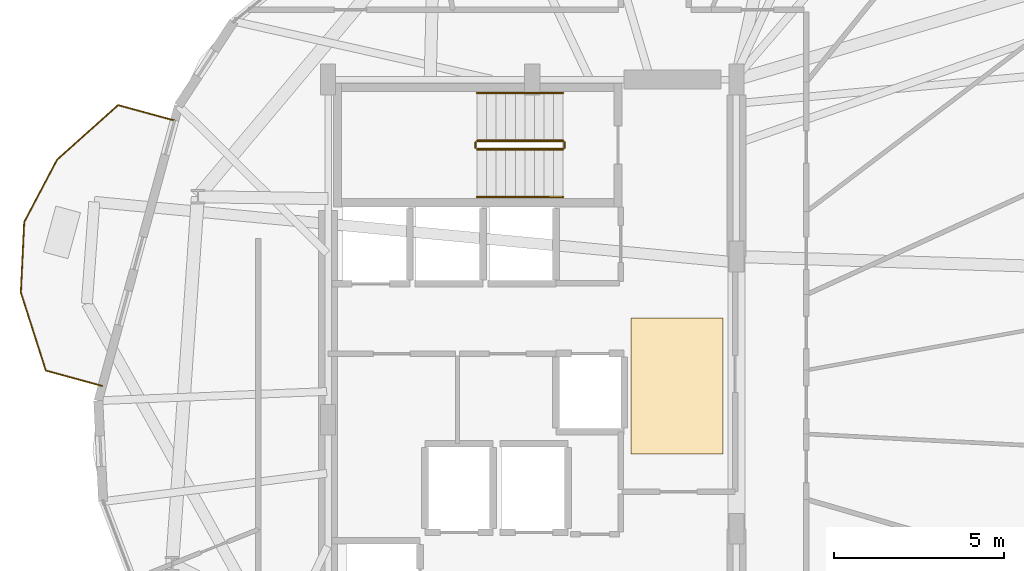
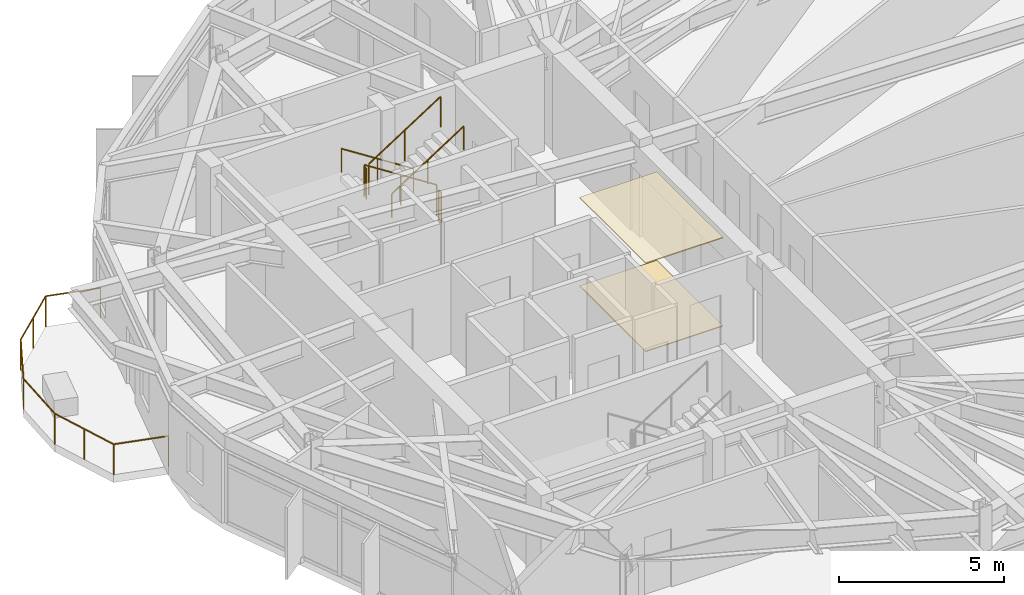
# One storey, part 22 of 23: 7 railings, 2 coverings.
"""IFC4 building model written with IfcOpenShell, lengths in metres."""

from ifc_helpers import new_model, si_unit, direction, frame, origin, origin_2d, place, context, subcontext, project, spatial, polyline, circle, outline, extrude, material, layer, layer_set, type_object, element, save


model = new_model("IFC4")

# Units and contexts
model_context = context("Model", 3, precision=1e-05, world=origin(), true_north=direction((0.0, 1.0)))
body_context = subcontext(model_context, "Body", "Model", "MODEL_VIEW")
ifc_project = project(units=[si_unit("LENGTHUNIT", "METRE"), si_unit("AREAUNIT", "SQUARE_METRE"), si_unit("VOLUMEUNIT", "CUBIC_METRE"), si_unit("PLANEANGLEUNIT", "RADIAN"), si_unit("MASSUNIT", "GRAM", prefix="KILO")], contexts=[model_context])

# Site, building, storey
site_placement = place(None, origin())
site = spatial("IfcSite", under=ifc_project, at=site_placement, CompositionType="ELEMENT")
building_placement = place(site_placement, origin())
building = spatial("IfcBuilding", under=site, at=building_placement, Name="Soratama Intermodal Tower", CompositionType="ELEMENT")
storey_placement = place(building_placement, frame((0.0, 0.0, 175.0)))
storey = spatial("IfcBuildingStorey", under=building, at=storey_placement, Name="L43", CompositionType="ELEMENT", Elevation=175.0)

# Coverings
ifc_material_1 = material(Name="Perforated mineral acoustic ceiling", Category="concrete")
ifc_layer_1 = layer(ifc_material_1, 0.0400390625)
ifc_layer_set_1 = layer_set([ifc_layer_1], Name="Perforated mineral acoustic ceiling")
covering_type_1 = type_object("IfcCoveringType", Name="CV-CEIL-ACOUSTIC", PredefinedType="CEILING", material=ifc_layer_set_1)
covering_1_placement = place(storey_placement, frame((0.0, 0.0, 3.260009765625)))
element("IfcCovering", 1, at=covering_1_placement, inside=storey, type_object=covering_type_1, Name="L43 Acoustic Ceiling", PredefinedType="CEILING", context=body_context, shape_type="SweptSolid", body=[
    extrude(outline(polyline([(41.5, 24.0), (44.199951171875, 24.0), (44.199951171875, 28.0), (41.5, 28.0), (41.5, 24.0)])), origin(), (0.0, 0.0, 1.0), 0.0400390625),
])
ifc_material_2 = material(Name="Polished Andean stone terrazzo flooring", Category="masonry")
ifc_layer_2 = layer(ifc_material_2, 0.030029296875)
ifc_layer_set_2 = layer_set([ifc_layer_2], Name="Polished Andean stone terrazzo flooring")
covering_type_2 = type_object("IfcCoveringType", Name="CV-FLOR-TERRAZZO", PredefinedType="FLOORING", material=ifc_layer_set_2)
covering_2_placement = place(storey_placement, origin())
element("IfcCovering", 2, at=covering_2_placement, inside=storey, type_object=covering_type_2, Name="L43 Lobby Terrazzo Flooring", PredefinedType="FLOORING", context=body_context, shape_type="SweptSolid", body=[
    extrude(outline(polyline([(41.5, 24.0), (44.199951171875, 24.0), (44.199951171875, 28.0), (41.5, 28.0), (41.5, 24.0)])), origin(), (0.0, 0.0, 1.0), 0.030029296875),
])

# Railings
ifc_material_3 = material(Name="Laminated glass and stainless steel balustrade", Category="steel")
railing_type_1 = type_object("IfcRailingType", Name="RL-BAL-1150", PredefinedType="BALUSTRADE", material=ifc_material_3)
railing_1_placement = place(storey_placement, frame((25.964599609375, 25.995849609375, 0.0)))
element("IfcRailing", 3, at=railing_1_placement, inside=storey, type_object=railing_type_1, Name="L43 Balcony Balustrade 2", PredefinedType="BALUSTRADE", context=body_context, shape_type="SweptSolid", body=[
    extrude(circle(Radius=0.02392578125, at=origin_2d()), frame((0.0, 0.0, 1.1259765625), z_axis=(-0.964826033339, 0.262889188428, 0.0), x_axis=(-0.262889188428, -0.964826033339, 0.0)), (0.0, 0.0, 1.0), 1.719970703125),
    extrude(circle(Radius=0.02392578125, at=origin_2d()), frame((-1.659423828125, 0.4521484375, 1.1259765625), z_axis=(-0.304408018517, 0.952541735706, 0.0), x_axis=(-0.952541735706, -0.304408018517, 0.0)), (0.0, 0.0, 1.0), 2.4091796875),
    extrude(circle(Radius=0.02392578125, at=origin_2d()), frame((-2.392822265625, 2.7470703125, 1.1259765625), z_axis=(0.047397096634, 0.998876126069, 0.0), x_axis=(-0.998876126069, 0.047397096634, 0.0)), (0.0, 0.0, 1.0), 2.07080078125),
    extrude(circle(Radius=0.02392578125, at=origin_2d()), frame((-2.294677734375, 4.8154296875, 1.1259765625), z_axis=(0.465838758603, 0.88486962372, 0.0), x_axis=(-0.88486962372, 0.465838758603, 0.0)), (0.0, 0.0, 1.0), 2.070556640625),
    extrude(circle(Radius=0.02392578125, at=origin_2d()), frame((-1.330078125, 6.647705078125, 1.1259765625), z_axis=(0.745522179402, 0.666480817443, 0.0), x_axis=(-0.666480817443, 0.745522179402, 0.0)), (0.0, 0.0, 1.0), 2.4091796875),
    extrude(circle(Radius=0.02392578125, at=origin_2d()), frame((0.466064453125, 8.25341796875, 1.1259765625), z_axis=(0.964826033339, -0.262889188428, 0.0), x_axis=(0.262889188428, 0.964826033339, 0.0)), (0.0, 0.0, 1.0), 1.719970703125),
    extrude(circle(Radius=0.02099609375, at=origin_2d()), origin(), (0.0, 0.0, 1.0), 1.101806640625),
    extrude(circle(Radius=0.02099609375, at=origin_2d()), frame((-1.659423828125, 0.4521484375, 0.0)), (0.0, 0.0, 1.0), 1.101806640625),
    extrude(circle(Radius=0.02099609375, at=origin_2d()), frame((-2.026123046875, 1.599609375, 0.0)), (0.0, 0.0, 1.0), 1.101806640625),
    extrude(circle(Radius=0.02099609375, at=origin_2d()), frame((-2.392822265625, 2.7470703125, 0.0)), (0.0, 0.0, 1.0), 1.101806640625),
    extrude(circle(Radius=0.02099609375, at=origin_2d()), frame((-2.294677734375, 4.8154296875, 0.0)), (0.0, 0.0, 1.0), 1.101806640625),
    extrude(circle(Radius=0.02099609375, at=origin_2d()), frame((-1.330078125, 6.647705078125, 0.0)), (0.0, 0.0, 1.0), 1.101806640625),
    extrude(circle(Radius=0.02099609375, at=origin_2d()), frame((-0.43212890625, 7.45068359375, 0.0)), (0.0, 0.0, 1.0), 1.101806640625),
    extrude(circle(Radius=0.02099609375, at=origin_2d()), frame((0.466064453125, 8.25341796875, 0.0)), (0.0, 0.0, 1.0), 1.101806640625),
    extrude(circle(Radius=0.02099609375, at=origin_2d()), frame((2.12548828125, 7.80126953125, 0.0)), (0.0, 0.0, 1.0), 1.101806640625),
])
ifc_material_4 = material(Name="Painted steel stair guardrail", Category="steel")
railing_type_2 = type_object("IfcRailingType", Name="RL-STAIR-GUARD", PredefinedType="GUARDRAIL", material=ifc_material_4)
railing_2_placement = place(storey_placement, frame((39.5, 33.199951171875, 0.179931640625)))
element("IfcRailing", 4, at=railing_2_placement, inside=storey, type_object=railing_type_2, Name="L43 ST-2 stair guard 1", PredefinedType="GUARDRAIL", context=body_context, shape_type="SweptSolid", body=[
    extrude(circle(Radius=0.02392578125, at=origin_2d()), frame((0.0, 0.0, 1.1259765625), z_axis=(-0.841162588446, 0.0, 0.540782303519), x_axis=(0.0, -1.0, 0.0)), (0.0, 0.0, 1.0), 2.995849609375),
    extrude(circle(Radius=0.02099609375, at=origin_2d()), origin(), (0.0, 0.0, 1.0), 1.101806640625),
    extrude(circle(Radius=0.02099609375, at=origin_2d()), frame((-1.260009765625, 0.0, 0.81005859375)), (0.0, 0.0, 1.0), 1.101806640625),
    extrude(circle(Radius=0.02099609375, at=origin_2d()), frame((-2.52001953125, 0.0, 1.6201171875)), (0.0, 0.0, 1.0), 1.101806640625),
])
railing_3_placement = place(storey_placement, frame((36.929931640625, 33.14990234375, 1.800048828125)))
element("IfcRailing", 5, at=railing_3_placement, inside=storey, type_object=railing_type_2, Name="L43 ST-2 stair guard 2", PredefinedType="GUARDRAIL", context=body_context, shape_type="SweptSolid", body=[
    extrude(circle(Radius=0.02392578125, at=origin_2d()), frame((0.0, 0.0, 1.1259765625), z_axis=(0.0, -1.0, 0.0), x_axis=(1.0, 0.0, 0.0)), (0.0, 0.0, 1.0), 0.14990234375),
    extrude(circle(Radius=0.02099609375, at=origin_2d()), origin(), (0.0, 0.0, 1.0), 1.101806640625),
    extrude(circle(Radius=0.02099609375, at=origin_2d()), frame((0.0, -0.14990234375, 0.0)), (0.0, 0.0, 1.0), 1.101806640625),
])
railing_4_placement = place(storey_placement, frame((36.97998046875, 32.949951171875, 1.97998046875)))
element("IfcRailing", 6, at=railing_4_placement, inside=storey, type_object=railing_type_2, Name="L43 ST-2 stair guard 3", PredefinedType="GUARDRAIL", context=body_context, shape_type="SweptSolid", body=[
    extrude(circle(Radius=0.02392578125, at=origin_2d()), frame((0.0, 0.0, 1.1259765625), z_axis=(0.841162588446, 0.0, 0.540782303519), x_axis=(0.0, 1.0, 0.0)), (0.0, 0.0, 1.0), 2.995849609375),
    extrude(circle(Radius=0.02099609375, at=origin_2d()), origin(), (0.0, 0.0, 1.0), 1.101806640625),
    extrude(circle(Radius=0.02099609375, at=origin_2d()), frame((1.260009765625, 0.0, 0.81005859375)), (0.0, 0.0, 1.0), 1.101806640625),
    extrude(circle(Radius=0.02099609375, at=origin_2d()), frame((2.52001953125, 0.0, 1.6201171875)), (0.0, 0.0, 1.0), 1.101806640625),
])
railing_5_placement = place(storey_placement, frame((39.550048828125, 33.14990234375, 0.0)))
element("IfcRailing", 7, at=railing_5_placement, inside=storey, type_object=railing_type_2, Name="L43 ST-2 stair guard 4", PredefinedType="GUARDRAIL", context=body_context, shape_type="SweptSolid", body=[
    extrude(circle(Radius=0.02392578125, at=origin_2d()), frame((0.0, 0.0, 1.1259765625), z_axis=(0.0, -1.0, 0.0), x_axis=(1.0, 0.0, 0.0)), (0.0, 0.0, 1.0), 0.14990234375),
    extrude(circle(Radius=0.02099609375, at=origin_2d()), origin(), (0.0, 0.0, 1.0), 1.101806640625),
    extrude(circle(Radius=0.02099609375, at=origin_2d()), frame((0.0, -0.14990234375, 0.0)), (0.0, 0.0, 1.0), 1.101806640625),
])
ifc_material_5 = material(Name="Brushed stainless steel handrail", Category="steel")
railing_type_3 = type_object("IfcRailingType", Name="RL-STAIR-HAND", PredefinedType="HANDRAIL", material=ifc_material_5)
railing_6_placement = place(storey_placement, frame((39.5, 34.60009765625, 0.179931640625)))
element("IfcRailing", 8, at=railing_6_placement, inside=storey, type_object=railing_type_3, Name="L43 ST-2 stair handrail 1", PredefinedType="HANDRAIL", context=body_context, shape_type="SweptSolid", body=[
    extrude(circle(Radius=0.02392578125, at=origin_2d()), frame((0.0, 0.0, 0.8759765625), z_axis=(-0.841162588446, 0.0, 0.540782303519), x_axis=(0.0, -1.0, 0.0)), (0.0, 0.0, 1.0), 2.995849609375),
    extrude(circle(Radius=0.02099609375, at=origin_2d()), origin(), (0.0, 0.0, 1.0), 0.851806640625),
    extrude(circle(Radius=0.02099609375, at=origin_2d()), frame((-1.260009765625, 0.0, 0.81005859375)), (0.0, 0.0, 1.0), 0.851806640625),
    extrude(circle(Radius=0.02099609375, at=origin_2d()), frame((-2.52001953125, 0.0, 1.6201171875)), (0.0, 0.0, 1.0), 0.851806640625),
])
railing_7_placement = place(storey_placement, frame((36.97998046875, 31.550048828125, 1.97998046875)))
element("IfcRailing", 9, at=railing_7_placement, inside=storey, type_object=railing_type_3, Name="L43 ST-2 stair handrail 2", PredefinedType="HANDRAIL", context=body_context, shape_type="SweptSolid", body=[
    extrude(circle(Radius=0.02392578125, at=origin_2d()), frame((0.0, 0.0, 0.8759765625), z_axis=(0.841162588446, 0.0, 0.540782303519), x_axis=(0.0, 1.0, 0.0)), (0.0, 0.0, 1.0), 2.995849609375),
    extrude(circle(Radius=0.02099609375, at=origin_2d()), origin(), (0.0, 0.0, 1.0), 0.851806640625),
    extrude(circle(Radius=0.02099609375, at=origin_2d()), frame((1.260009765625, 0.0, 0.81005859375)), (0.0, 0.0, 1.0), 0.851806640625),
    extrude(circle(Radius=0.02099609375, at=origin_2d()), frame((2.52001953125, 0.0, 1.6201171875)), (0.0, 0.0, 1.0), 0.851806640625),
])

save(model, "model.ifc")
